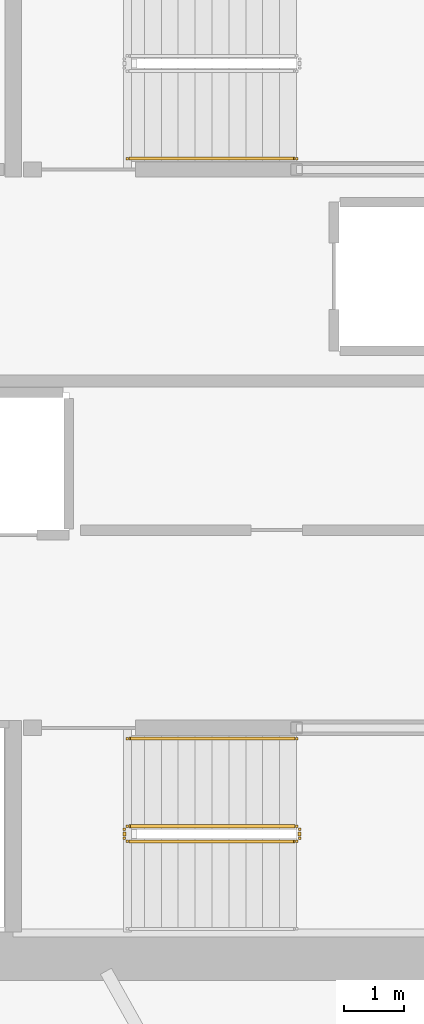
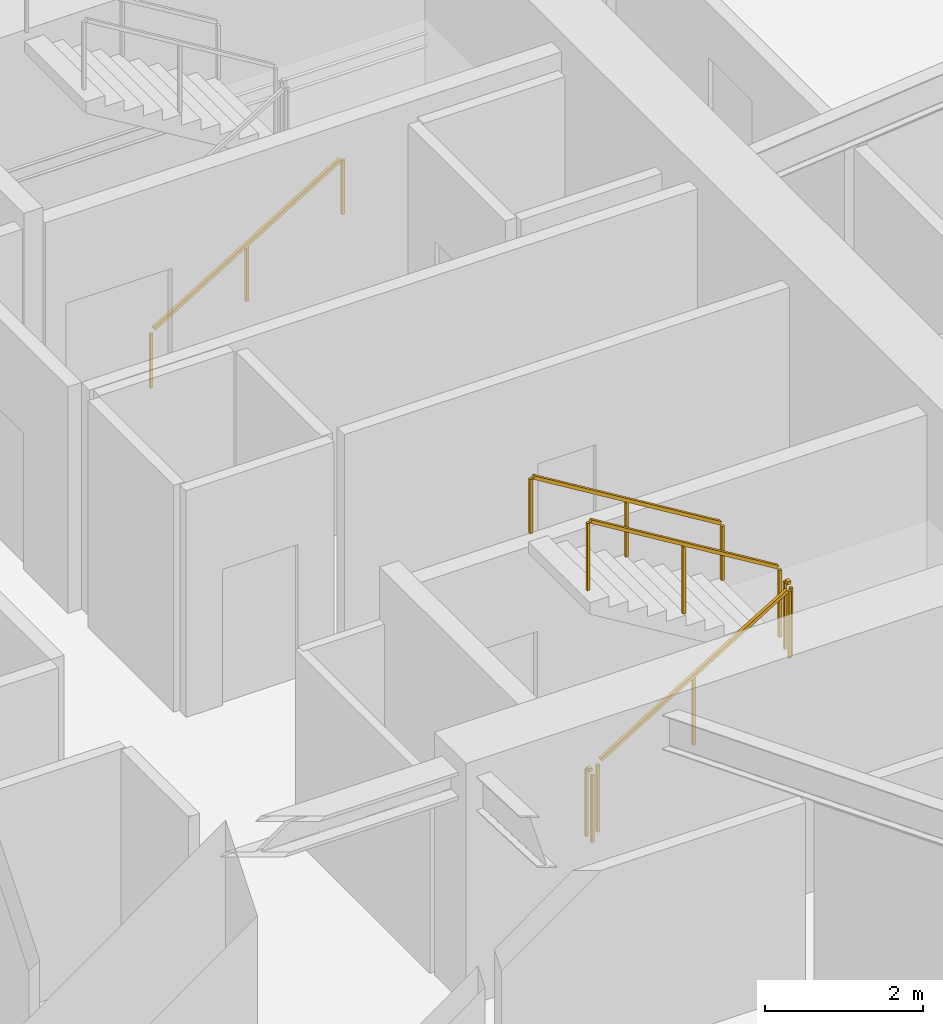
# One storey, part 20 of 23: 6 railings.
"""IFC4 building model written with IfcOpenShell, lengths in metres."""

from ifc_helpers import new_model, si_unit, direction, frame, origin, origin_2d, place, context, subcontext, project, spatial, rectangle, extrude, material, type_object, element, save


model = new_model("IFC4")

# Units and contexts
model_context = context("Model", 3, precision=1e-05, world=origin(), true_north=direction((0.0, 1.0)))
body_context = subcontext(model_context, "Body", "Model", "MODEL_VIEW")
ifc_project = project(units=[si_unit("LENGTHUNIT", "METRE"), si_unit("AREAUNIT", "SQUARE_METRE"), si_unit("VOLUMEUNIT", "CUBIC_METRE"), si_unit("PLANEANGLEUNIT", "RADIAN"), si_unit("MASSUNIT", "GRAM", prefix="KILO")], contexts=[model_context])

# Site, building, storey
site_placement = place(None, origin())
site = spatial("IfcSite", under=ifc_project, at=site_placement, CompositionType="ELEMENT")
building_placement = place(site_placement, origin())
building = spatial("IfcBuilding", under=site, at=building_placement, Name="Kazma Halo Residences", CompositionType="ELEMENT")
storey_placement = place(building_placement, frame((0.0, 0.0, 101.39990234375)))
storey = spatial("IfcBuildingStorey", under=building, at=storey_placement, Name="L25", CompositionType="ELEMENT", Elevation=101.39990234375)

# Railings
ifc_material_1 = material(Name="Painted Steel S355", Category="steel")
railing_type_1 = type_object("IfcRailingType", Name="RLG-STAIR-GRD-1100", PredefinedType="GUARDRAIL", material=ifc_material_1)
railing_1_placement = place(storey_placement, frame((53.199951171875, 35.5, 0.170654296875)))
element("IfcRailing", 1, at=railing_1_placement, inside=storey, type_object=railing_type_1, Name="L25 ST-03 stair guard 1", PredefinedType="GUARDRAIL", context=body_context, shape_type="SweptSolid", body=[
    extrude(rectangle(XDim=0.050048828125, YDim=0.050048828125, at=origin_2d()), frame((0.036376953125, 0.0, 1.09716796875), z_axis=(0.854202870247, 0.0, 0.519939858505), x_axis=(0.0, 1.0, 0.0)), (0.0, 0.0, 1.0), 3.19287109375),
    extrude(rectangle(XDim=0.0400390625, YDim=0.0400390625, at=origin_2d()), origin(), (0.0, 0.0, 1.0), 1.0380859375),
    extrude(rectangle(XDim=0.0400390625, YDim=0.0400390625, at=origin_2d()), frame((1.39990234375, 0.0, 0.85205078125)), (0.0, 0.0, 1.0), 1.0380859375),
    extrude(rectangle(XDim=0.0400390625, YDim=0.0400390625, at=origin_2d()), frame((2.800048828125, 0.0, 1.704345703125)), (0.0, 0.0, 1.0), 1.0380859375),
])
railing_2_placement = place(storey_placement, frame((56.050048828125, 35.550048828125, 1.875)))
element("IfcRailing", 2, at=railing_2_placement, inside=storey, type_object=railing_type_1, Name="L25 ST-03 stair guard 2", PredefinedType="GUARDRAIL", context=body_context, shape_type="SweptSolid", body=[
    extrude(rectangle(XDim=0.050048828125, YDim=0.050048828125, at=origin_2d()), frame((0.0, 0.04248046875, 1.0751953125), z_axis=(0.0, 1.0, 0.0), x_axis=(-1.0, 0.0, 0.0)), (0.0, 0.0, 1.0), 0.06494140625),
    extrude(rectangle(XDim=0.0400390625, YDim=0.0400390625, at=origin_2d()), origin(), (0.0, 0.0, 1.0), 1.0380859375),
    extrude(rectangle(XDim=0.0400390625, YDim=0.0400390625, at=origin_2d()), frame((0.0, 0.14990234375, 0.0)), (0.0, 0.0, 1.0), 1.0380859375),
])
railing_3_placement = place(storey_placement, frame((56.0, 35.75, 2.045654296875)))
element("IfcRailing", 3, at=railing_3_placement, inside=storey, type_object=railing_type_1, Name="L25 ST-03 stair guard 3", PredefinedType="GUARDRAIL", context=body_context, shape_type="SweptSolid", body=[
    extrude(rectangle(XDim=0.050048828125, YDim=0.050048828125, at=origin_2d()), frame((-0.036376953125, 0.0, 1.09716796875), z_axis=(-0.854202870247, 0.0, 0.519939858505), x_axis=(0.0, -1.0, 0.0)), (0.0, 0.0, 1.0), 3.19287109375),
    extrude(rectangle(XDim=0.0400390625, YDim=0.0400390625, at=origin_2d()), origin(), (0.0, 0.0, 1.0), 1.0380859375),
    extrude(rectangle(XDim=0.0400390625, YDim=0.0400390625, at=origin_2d()), frame((-1.39990234375, 0.0, 0.85205078125)), (0.0, 0.0, 1.0), 1.0380859375),
    extrude(rectangle(XDim=0.0400390625, YDim=0.0400390625, at=origin_2d()), frame((-2.800048828125, 0.0, 1.704345703125)), (0.0, 0.0, 1.0), 1.0380859375),
])
railing_4_placement = place(storey_placement, frame((53.14990234375, 35.550048828125, 0.0)))
element("IfcRailing", 4, at=railing_4_placement, inside=storey, type_object=railing_type_1, Name="L25 ST-03 stair guard 4", PredefinedType="GUARDRAIL", context=body_context, shape_type="SweptSolid", body=[
    extrude(rectangle(XDim=0.050048828125, YDim=0.050048828125, at=origin_2d()), frame((0.0, 0.04248046875, 1.0751953125), z_axis=(0.0, 1.0, 0.0), x_axis=(-1.0, 0.0, 0.0)), (0.0, 0.0, 1.0), 0.06494140625),
    extrude(rectangle(XDim=0.0400390625, YDim=0.0400390625, at=origin_2d()), origin(), (0.0, 0.0, 1.0), 1.0380859375),
    extrude(rectangle(XDim=0.0400390625, YDim=0.0400390625, at=origin_2d()), frame((0.0, 0.14990234375, 0.0)), (0.0, 0.0, 1.0), 1.0380859375),
])
ifc_material_2 = material(Name="Brushed Stainless Steel", Category="steel")
railing_type_2 = type_object("IfcRailingType", Name="RLG-STAIR-HND-900", PredefinedType="HANDRAIL", material=ifc_material_2)
railing_5_placement = place(storey_placement, frame((53.199951171875, 46.800048828125, 0.170654296875)))
element("IfcRailing", 5, at=railing_5_placement, inside=storey, type_object=railing_type_2, Name="L25 ST-02 stair handrail 1", PredefinedType="HANDRAIL", context=body_context, shape_type="SweptSolid", body=[
    extrude(rectangle(XDim=0.050048828125, YDim=0.050048828125, at=origin_2d()), frame((0.036376953125, 0.0, 0.89697265625), z_axis=(0.854202870247, 0.0, 0.519939858505), x_axis=(0.0, 1.0, 0.0)), (0.0, 0.0, 1.0), 3.19287109375),
    extrude(rectangle(XDim=0.0400390625, YDim=0.0400390625, at=origin_2d()), origin(), (0.0, 0.0, 1.0), 0.837890625),
    extrude(rectangle(XDim=0.0400390625, YDim=0.0400390625, at=origin_2d()), frame((1.39990234375, 0.0, 0.85205078125)), (0.0, 0.0, 1.0), 0.837890625),
    extrude(rectangle(XDim=0.0400390625, YDim=0.0400390625, at=origin_2d()), frame((2.800048828125, 0.0, 1.704345703125)), (0.0, 0.0, 1.0), 0.837890625),
])
railing_6_placement = place(storey_placement, frame((56.0, 37.199951171875, 2.045654296875)))
element("IfcRailing", 6, at=railing_6_placement, inside=storey, type_object=railing_type_2, Name="L25 ST-03 stair handrail 2", PredefinedType="HANDRAIL", context=body_context, shape_type="SweptSolid", body=[
    extrude(rectangle(XDim=0.050048828125, YDim=0.050048828125, at=origin_2d()), frame((-0.036376953125, 0.0, 0.89697265625), z_axis=(-0.854202870247, 0.0, 0.519939858505), x_axis=(0.0, -1.0, 0.0)), (0.0, 0.0, 1.0), 3.19287109375),
    extrude(rectangle(XDim=0.0400390625, YDim=0.0400390625, at=origin_2d()), origin(), (0.0, 0.0, 1.0), 0.837890625),
    extrude(rectangle(XDim=0.0400390625, YDim=0.0400390625, at=origin_2d()), frame((-1.39990234375, 0.0, 0.85205078125)), (0.0, 0.0, 1.0), 0.837890625),
    extrude(rectangle(XDim=0.0400390625, YDim=0.0400390625, at=origin_2d()), frame((-2.800048828125, 0.0, 1.704345703125)), (0.0, 0.0, 1.0), 0.837890625),
])

save(model, "model.ifc")
